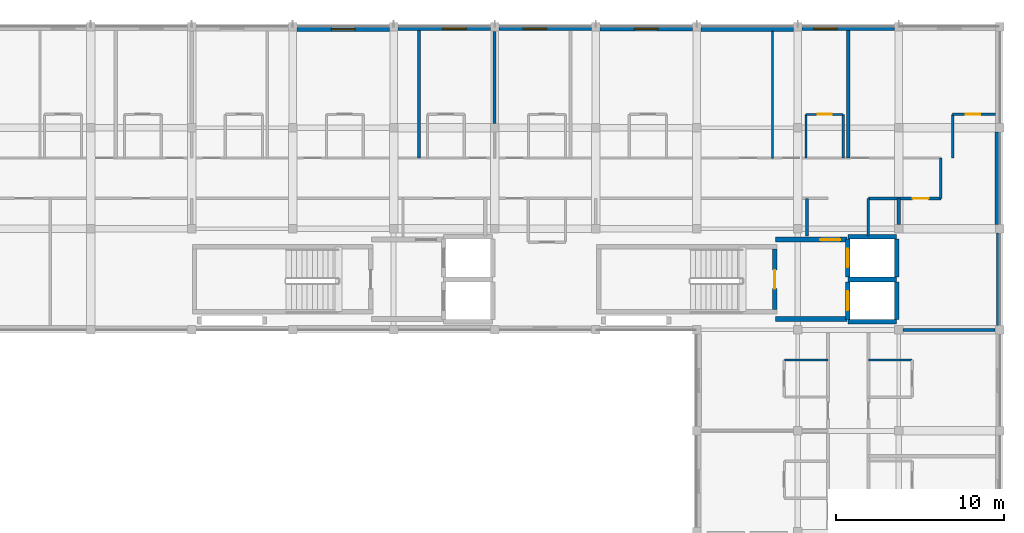
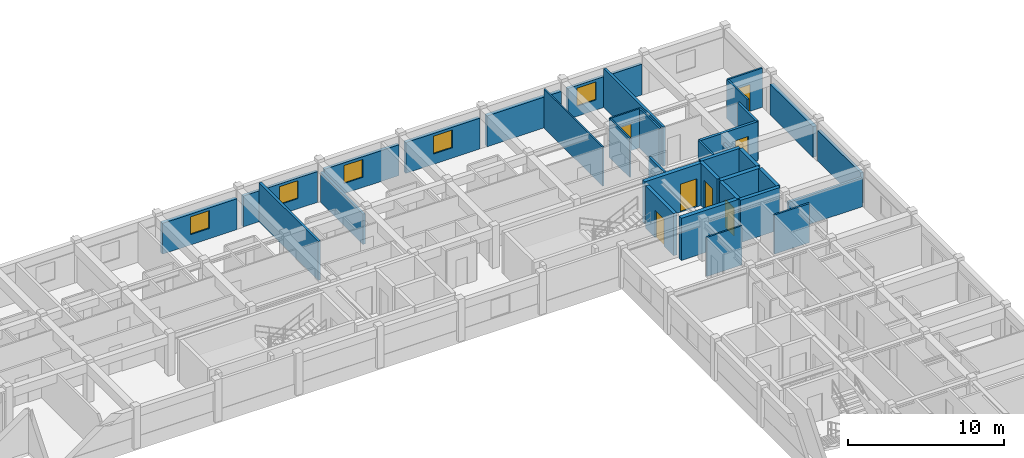
# One storey, part 10 of 15: 35 walls, 7 doors, 5 windows, 12 openings.
"""IFC4 building model written with IfcOpenShell, lengths in metres."""

from ifc_helpers import new_model, si_unit, direction, frame, frame_2d, origin, place, context, subcontext, project, spatial, rectangle, extrude, material, layer, layer_set, type_object, element, fill, save


model = new_model("IFC4")

# Units and contexts
model_context = context("Model", 3, precision=1e-05, world=origin(), true_north=direction((0.0, 1.0)))
body_context = subcontext(model_context, "Body", "Model", "MODEL_VIEW")
ifc_project = project(units=[si_unit("LENGTHUNIT", "METRE"), si_unit("AREAUNIT", "SQUARE_METRE"), si_unit("VOLUMEUNIT", "CUBIC_METRE"), si_unit("PLANEANGLEUNIT", "RADIAN"), si_unit("MASSUNIT", "GRAM", prefix="KILO"), si_unit("THERMODYNAMICTEMPERATUREUNIT", "KELVIN"), si_unit("POWERUNIT", "WATT")], contexts=[model_context])

# Site, building, storey
site_placement = place(None, origin())
site = spatial("IfcSite", under=ifc_project, at=site_placement, CompositionType="ELEMENT")
building_placement = place(site_placement, origin())
building = spatial("IfcBuilding", under=site, at=building_placement, Name="Phaisarnlok Congress Hotel", CompositionType="ELEMENT")
storey_placement = place(building_placement, frame((0.0, 0.0, 41.39990234375)))
storey = spatial("IfcBuildingStorey", under=building, at=storey_placement, Name="L10", CompositionType="ELEMENT", Elevation=41.39990234375)

# Wall
ifc_material_1 = material(Name="Concrete C40/50", Category="concrete")
ifc_layer_1 = layer(ifc_material_1, 0.2099609375, Name="Concrete C40/50")
ifc_layer_set_1 = layer_set([ifc_layer_1], Name="Concrete C40/50")
wall_type_1 = type_object("IfcWallType", Name="WL-EXT-210", PredefinedType="SOLIDWALL", material=ifc_layer_set_1)
wall_1_placement = place(storey_placement, frame((179.89501953125, 108.2548828125, 0.0), z_axis=(0.0, 0.0, 1.0), x_axis=(0.0, 1.0, 0.0)))
element("IfcWall", 1, at=wall_1_placement, inside=storey, type_object=wall_type_1, Name="Exterior wall EW-07 (L10)", PredefinedType="SOLIDWALL", context=body_context, shape_type="SweptSolid", body=[
    extrude(rectangle(XDim=5.490234375, YDim=0.2099609375, at=frame_2d((2.7451171875, 0.0))), origin(), (0.0, 0.0, 1.0), 2.41015625),
])

# Wall, opening, window
wall_2_placement = place(storey_placement, frame((173.7451171875, 125.89501953125, 0.0), z_axis=(0.0, 0.0, 1.0), x_axis=(-1.0, 0.0, 0.0)))
wall_2 = element("IfcWall", 2, at=wall_2_placement, inside=storey, type_object=wall_type_1, Name="Exterior wall EW-07 (L10)", PredefinedType="SOLIDWALL", context=body_context, shape_type="SweptSolid", body=[
    extrude(rectangle(XDim=5.490234375, YDim=0.2099609375, at=frame_2d((2.7451171875, 0.0))), origin(), (0.0, 0.0, 1.0), 2.41015625),
])
opening_1_placement = place(wall_2_placement, frame((3.407958984375, 0.0, 0.800048828125)))
opening_1 = element("IfcOpeningElement", 3, at=opening_1_placement, cuts=wall_2, Name="Opening W-13", PredefinedType="OPENING", context=body_context, shape_type="SweptSolid", body=[
    extrude(rectangle(XDim=1.39990234375, YDim=1.39990234375, at=frame_2d((0.699951171875, 0.699951171875))), frame((0.0, 0.114990234375, 0.0), z_axis=(0.0, -1.0, 0.0), x_axis=(1.0, 0.0, 0.0)), (0.0, 0.0, 1.0), 0.22998046875),
])
ifc_material_2 = material(Name="Thermally Broken Aluminium & Low-E Double Glazing", Category="aluminium")
window_type = type_object("IfcWindowType", Name="WIN-POD-1400", PartitioningType="SINGLE_PANEL", PredefinedType="WINDOW", material=ifc_material_2)
window_1_placement = place(opening_1_placement, origin())
window_1 = element("IfcWindow", 4, at=window_1_placement, inside=storey, type_object=window_type, Name="Guestroom window W-13 (L10)", OverallHeight=1.39990234375, OverallWidth=1.39990234375, PartitioningType="SINGLE_PANEL", PredefinedType="WINDOW", context=body_context, shape_type="SweptSolid", body=[
    extrude(rectangle(XDim=1.39990234375, YDim=1.39990234375, at=frame_2d((0.699951171875, 0.699951171875))), frame((0.0, 0.030029296875, 0.0), z_axis=(0.0, -1.0, 0.0), x_axis=(1.0, 0.0, 0.0)), (0.0, 0.0, 1.0), 0.06005859375),
])
fill(opening_1, window_1)

wall_3_placement = place(storey_placement, frame((149.7451171875, 125.89501953125, 0.0), z_axis=(0.0, 0.0, 1.0), x_axis=(-1.0, 0.0, 0.0)))
wall_3 = element("IfcWall", 5, at=wall_3_placement, inside=storey, type_object=wall_type_1, Name="Exterior wall EW-07 (L10)", PredefinedType="SOLIDWALL", context=body_context, shape_type="SweptSolid", body=[
    extrude(rectangle(XDim=5.490234375, YDim=0.2099609375, at=frame_2d((2.7451171875, 0.0))), origin(), (0.0, 0.0, 1.0), 2.41015625),
])
opening_2_placement = place(wall_3_placement, frame((1.431884765625, 0.0, 0.800048828125)))
opening_2 = element("IfcOpeningElement", 6, at=opening_2_placement, cuts=wall_3, Name="Opening W-13", PredefinedType="OPENING", context=body_context, shape_type="SweptSolid", body=[
    extrude(rectangle(XDim=1.39990234375, YDim=1.39990234375, at=frame_2d((0.699951171875, 0.699951171875))), frame((0.0, 0.114990234375, 0.0), z_axis=(0.0, -1.0, 0.0), x_axis=(1.0, 0.0, 0.0)), (0.0, 0.0, 1.0), 0.22998046875),
])
window_2_placement = place(opening_2_placement, origin())
window_2 = element("IfcWindow", 7, at=window_2_placement, inside=storey, type_object=window_type, Name="Guestroom window W-13 (L10)", OverallHeight=1.39990234375, OverallWidth=1.39990234375, PartitioningType="SINGLE_PANEL", PredefinedType="WINDOW", context=body_context, shape_type="SweptSolid", body=[
    extrude(rectangle(XDim=1.39990234375, YDim=1.39990234375, at=frame_2d((0.699951171875, 0.699951171875))), frame((0.0, 0.030029296875, 0.0), z_axis=(0.0, -1.0, 0.0), x_axis=(1.0, 0.0, 0.0)), (0.0, 0.0, 1.0), 0.06005859375),
])
fill(opening_2, window_2)

ifc_layer_2 = layer(ifc_material_1, 0.22998046875, Name="Concrete C40/50")
ifc_layer_set_2 = layer_set([ifc_layer_2], Name="Concrete C40/50")
wall_type_2 = type_object("IfcWallType", Name="WL-EXT-230", PredefinedType="SOLIDWALL", material=ifc_layer_set_2)
wall_4_placement = place(storey_placement, frame((155.7451171875, 125.885009765625, 0.0), z_axis=(0.0, 0.0, 1.0), x_axis=(-1.0, 0.0, 0.0)))
wall_4 = element("IfcWall", 8, at=wall_4_placement, inside=storey, type_object=wall_type_2, Name="Exterior wall EW-06 (L10)", PredefinedType="SOLIDWALL", context=body_context, shape_type="SweptSolid", body=[
    extrude(rectangle(XDim=5.490234375, YDim=0.22998046875, at=frame_2d((2.7451171875, 0.0))), origin(), (0.0, 0.0, 1.0), 2.41015625),
])
opening_3_placement = place(wall_4_placement, frame((2.657958984375, 0.0, 0.800048828125)))
opening_3 = element("IfcOpeningElement", 9, at=opening_3_placement, cuts=wall_4, Name="Opening W-13", PredefinedType="OPENING", context=body_context, shape_type="SweptSolid", body=[
    extrude(rectangle(XDim=1.39990234375, YDim=1.39990234375, at=frame_2d((0.699951171875, 0.699951171875))), frame((0.0, 0.125, 0.0), z_axis=(0.0, -1.0, 0.0), x_axis=(1.0, 0.0, 0.0)), (0.0, 0.0, 1.0), 0.25),
])
window_3_placement = place(opening_3_placement, origin())
window_3 = element("IfcWindow", 10, at=window_3_placement, inside=storey, type_object=window_type, Name="Guestroom window W-13 (L10)", OverallHeight=1.39990234375, OverallWidth=1.39990234375, PartitioningType="SINGLE_PANEL", PredefinedType="WINDOW", context=body_context, shape_type="SweptSolid", body=[
    extrude(rectangle(XDim=1.39990234375, YDim=1.39990234375, at=frame_2d((0.699951171875, 0.699951171875))), frame((0.0, 0.030029296875, 0.0), z_axis=(0.0, -1.0, 0.0), x_axis=(1.0, 0.0, 0.0)), (0.0, 0.0, 1.0), 0.06005859375),
])
fill(opening_3, window_3)

ifc_layer_3 = layer(ifc_material_1, 0.25, Name="Concrete C40/50")
ifc_layer_set_3 = layer_set([ifc_layer_3], Name="Concrete C40/50")
wall_type_3 = type_object("IfcWallType", Name="WL-EXT-250", PredefinedType="SOLIDWALL", material=ifc_layer_set_3)
wall_5_placement = place(storey_placement, frame((161.7451171875, 125.875, 0.0), z_axis=(0.0, 0.0, 1.0), x_axis=(-1.0, 0.0, 0.0)))
wall_5 = element("IfcWall", 11, at=wall_5_placement, inside=storey, type_object=wall_type_3, Name="Exterior wall EW-05 (L10)", PredefinedType="SOLIDWALL", context=body_context, shape_type="SweptSolid", body=[
    extrude(rectangle(XDim=5.490234375, YDim=0.25, at=frame_2d((2.7451171875, 0.0))), origin(), (0.0, 0.0, 1.0), 2.41015625),
])
opening_4_placement = place(wall_5_placement, frame((2.044921875, 0.0, 0.800048828125)))
opening_4 = element("IfcOpeningElement", 12, at=opening_4_placement, cuts=wall_5, Name="Opening W-13", PredefinedType="OPENING", context=body_context, shape_type="SweptSolid", body=[
    extrude(rectangle(XDim=1.39990234375, YDim=1.39990234375, at=frame_2d((0.699951171875, 0.699951171875))), frame((0.0, 0.135009765625, 0.0), z_axis=(0.0, -1.0, 0.0), x_axis=(1.0, 0.0, 0.0)), (0.0, 0.0, 1.0), 0.27001953125),
])
window_4_placement = place(opening_4_placement, origin())
window_4 = element("IfcWindow", 13, at=window_4_placement, inside=storey, type_object=window_type, Name="Guestroom window W-13 (L10)", OverallHeight=1.39990234375, OverallWidth=1.39990234375, PartitioningType="SINGLE_PANEL", PredefinedType="WINDOW", context=body_context, shape_type="SweptSolid", body=[
    extrude(rectangle(XDim=1.39990234375, YDim=1.39990234375, at=frame_2d((0.699951171875, 0.699951171875))), frame((0.0, 0.030029296875, 0.0), z_axis=(0.0, -1.0, 0.0), x_axis=(1.0, 0.0, 0.0)), (0.0, 0.0, 1.0), 0.06005859375),
])
fill(opening_4, window_4)

# Walls
ifc_layer_4 = layer(ifc_material_1, 0.27001953125, Name="Concrete C40/50")
ifc_layer_set_4 = layer_set([ifc_layer_4], Name="Concrete C40/50")
wall_type_4 = type_object("IfcWallType", Name="WL-EXT-270", PredefinedType="SOLIDWALL", material=ifc_layer_set_4)
for number, where, z_axis, x_axis, name in (
    (14, (179.864990234375, 114.2548828125, 0.0), (0.0, 0.0, 1.0), (0.0, 1.0, 0.0), "Exterior wall EW-04 (L10)"),
    (15, (167.7451171875, 125.864990234375, 0.0), (0.0, 0.0, 1.0), (-1.0, 0.0, 0.0), "Exterior wall EW-04 (L10)"),
):
    element("IfcWall", number, at=place(storey_placement, frame(where, z_axis=z_axis, x_axis=x_axis)), inside=storey, type_object=wall_type_4, Name=name, PredefinedType="SOLIDWALL", context=body_context, shape_type="SweptSolid", body=[
        extrude(rectangle(XDim=5.490234375, YDim=0.27001953125, at=frame_2d((2.7451171875, 0.0))), origin(), (0.0, 0.0, 1.0), 2.41015625),
    ])

# Wall, opening, window
wall_6_placement = place(storey_placement, frame((143.7451171875, 125.864990234375, 0.0), z_axis=(0.0, 0.0, 1.0), x_axis=(-1.0, 0.0, 0.0)))
wall_6 = element("IfcWall", 16, at=wall_6_placement, inside=storey, type_object=wall_type_4, Name="Exterior wall EW-04 (L10)", PredefinedType="SOLIDWALL", context=body_context, shape_type="SweptSolid", body=[
    extrude(rectangle(XDim=5.490234375, YDim=0.27001953125, at=frame_2d((2.7451171875, 0.0))), origin(), (0.0, 0.0, 1.0), 2.41015625),
])
opening_5_placement = place(wall_6_placement, frame((2.044921875, 0.0, 0.800048828125)))
opening_5 = element("IfcOpeningElement", 17, at=opening_5_placement, cuts=wall_6, Name="Opening W-13", PredefinedType="OPENING", context=body_context, shape_type="SweptSolid", body=[
    extrude(rectangle(XDim=1.39990234375, YDim=1.39990234375, at=frame_2d((0.699951171875, 0.699951171875))), frame((0.0, 0.14501953125, 0.0), z_axis=(0.0, -1.0, 0.0), x_axis=(1.0, 0.0, 0.0)), (0.0, 0.0, 1.0), 0.2900390625),
])
window_5_placement = place(opening_5_placement, origin())
window_5 = element("IfcWindow", 18, at=window_5_placement, inside=storey, type_object=window_type, Name="Guestroom window W-13 (L10)", OverallHeight=1.39990234375, OverallWidth=1.39990234375, PartitioningType="SINGLE_PANEL", PredefinedType="WINDOW", context=body_context, shape_type="SweptSolid", body=[
    extrude(rectangle(XDim=1.39990234375, YDim=1.39990234375, at=frame_2d((0.699951171875, 0.699951171875))), frame((0.0, 0.030029296875, 0.0), z_axis=(0.0, -1.0, 0.0), x_axis=(1.0, 0.0, 0.0)), (0.0, 0.0, 1.0), 0.06005859375),
])
fill(opening_5, window_5)

# Walls
ifc_material_3 = material(Name="Service Riser Shaftwall Partition", Category="gypsum")
ifc_layer_5 = layer(ifc_material_3, 0.10498046875, Name="Service Riser Shaftwall Partition")
ifc_layer_set_5 = layer_set([ifc_layer_5], Name="Service Riser Shaftwall Partition")
wall_type_5 = type_object("IfcWallType", Name="WL-INT-105", PredefinedType="PARTITIONING", material=ifc_layer_set_5)
wall_7_placement = place(storey_placement, frame((166.5, 118.199951171875, 0.0), z_axis=(0.0, 0.0, 1.0), x_axis=(0.0, 1.0, 0.0)))
element("IfcWall", 19, at=wall_7_placement, inside=storey, type_object=wall_type_5, Name="Interior partition wall IW-08 (L10)", PredefinedType="PARTITIONING", context=body_context, shape_type="SweptSolid", body=[
    extrude(rectangle(XDim=7.525146484375, YDim=0.10498046875, at=frame_2d((3.7626953125, 0.0))), origin(), (0.0, 0.0, 1.0), 3.06005859375),
])
ifc_material_4 = material(Name="Lightweight Metal-Stud Gypsum Partition", Category="gypsum")
ifc_layer_6 = layer(ifc_material_4, 0.1201171875, Name="Lightweight Metal-Stud Gypsum Partition")
ifc_layer_set_6 = layer_set([ifc_layer_6], Name="Lightweight Metal-Stud Gypsum Partition")
wall_type_6 = type_object("IfcWallType", Name="WL-INT-120", PredefinedType="PARTITIONING", material=ifc_layer_set_6)
for number, where, z_axis, x_axis, name in (
    (20, (168.5, 118.199951171875, 0.0), (0.0, 0.0, 1.0), (0.0, 1.0, 0.0), "Interior partition wall IW-07 (L10)"),
    (21, (167.199951171875, 106.199951171875, 0.0), (0.0, 0.0, 1.0), (1.0, 0.0, 0.0), "Interior partition wall IW-07 (L10)"),
):
    element("IfcWall", number, at=place(storey_placement, frame(where, z_axis=z_axis, x_axis=x_axis)), inside=storey, type_object=wall_type_6, Name=name, PredefinedType="PARTITIONING", context=body_context, shape_type="SweptSolid", body=[
        extrude(rectangle(XDim=2.60009765625, YDim=0.1201171875, at=frame_2d((1.300048828125, 0.0))), origin(), (0.0, 0.0, 1.0), 3.06005859375),
    ])

# Wall, opening, door
wall_8_placement = place(storey_placement, frame((168.5, 120.800048828125, 0.0), z_axis=(0.0, 0.0, 1.0), x_axis=(1.0, 0.0, 0.0)))
wall_8 = element("IfcWall", 22, at=wall_8_placement, inside=storey, type_object=wall_type_6, Name="Interior partition wall IW-07 (L10)", PredefinedType="PARTITIONING", context=body_context, shape_type="SweptSolid", body=[
    extrude(rectangle(XDim=2.199951171875, YDim=0.1201171875, at=frame_2d((1.10009765625, 0.0))), origin(), (0.0, 0.0, 1.0), 3.06005859375),
])
opening_6_placement = place(wall_8_placement, frame((0.675048828125, 0.0, 0.0)))
opening_6 = element("IfcOpeningElement", 23, at=opening_6_placement, cuts=wall_8, Name="Opening D-0579", PredefinedType="OPENING", context=body_context, shape_type="SweptSolid", body=[
    extrude(rectangle(XDim=0.85009765625, YDim=2.10009765625, at=frame_2d((0.425048828125, 1.050048828125))), frame((0.0, 0.070068359375, 0.0), z_axis=(0.0, -1.0, 0.0), x_axis=(1.0, 0.0, 0.0)), (0.0, 0.0, 1.0), 0.14013671875),
])
ifc_material_5 = material(Name="Moisture-Resistant Lacquered Timber", Category="wood")
door_type_1 = type_object("IfcDoorType", Name="DR-BATH-850", OperationType="NOTDEFINED", PredefinedType="DOOR", material=ifc_material_5)
door_1_placement = place(opening_6_placement, origin())
door_1 = element("IfcDoor", 24, at=door_1_placement, inside=storey, type_object=door_type_1, Name="Interior door D-0579 (L10)", OperationType="SINGLE_SWING_LEFT", OverallHeight=2.10009765625, OverallWidth=0.85009765625, PredefinedType="DOOR", context=body_context, shape_type="SweptSolid", body=[
    extrude(rectangle(XDim=0.85009765625, YDim=2.10009765625, at=frame_2d((0.425048828125, 1.050048828125))), frame((0.0, 0.02490234375, 0.0), z_axis=(0.0, -1.0, 0.0), x_axis=(1.0, 0.0, 0.0)), (0.0, 0.0, 1.0), 0.050048828125),
])
fill(opening_6, door_1)

# Walls
ifc_material_6 = material(Name="Moisture-Resistant Gypsum Partition", Category="gypsum")
ifc_layer_7 = layer(ifc_material_6, 0.135009765625, Name="Moisture-Resistant Gypsum Partition")
ifc_layer_set_7 = layer_set([ifc_layer_7], Name="Moisture-Resistant Gypsum Partition")
wall_type_7 = type_object("IfcWallType", Name="WL-INT-135", PredefinedType="PARTITIONING", material=ifc_layer_set_7)
for number, where, z_axis, x_axis, name in (
    (25, (170.699951171875, 118.199951171875, 0.0), (0.0, 0.0, 1.0), (0.0, 1.0, 0.0), "Interior partition wall IW-06 (L10)"),
    (26, (177.199951171875, 118.199951171875, 0.0), (0.0, 0.0, 1.0), (0.0, 1.0, 0.0), "Interior partition wall IW-06 (L10)"),
    (27, (172.199951171875, 106.199951171875, 0.0), (0.0, 0.0, 1.0), (1.0, 0.0, 0.0), "Interior partition wall IW-06 (L10)"),
):
    element("IfcWall", number, at=place(storey_placement, frame(where, z_axis=z_axis, x_axis=x_axis)), inside=storey, type_object=wall_type_7, Name=name, PredefinedType="PARTITIONING", context=body_context, shape_type="SweptSolid", body=[
        extrude(rectangle(XDim=2.60009765625, YDim=0.135009765625, at=frame_2d((1.300048828125, 0.0))), origin(), (0.0, 0.0, 1.0), 3.06005859375),
    ])

# Wall, opening, door
wall_9_placement = place(storey_placement, frame((177.199951171875, 120.800048828125, 0.0), z_axis=(0.0, 0.0, 1.0), x_axis=(1.0, 0.0, 0.0)))
wall_9 = element("IfcWall", 28, at=wall_9_placement, inside=storey, type_object=wall_type_7, Name="Interior partition wall IW-06 (L10)", PredefinedType="PARTITIONING", context=body_context, shape_type="SweptSolid", body=[
    extrude(rectangle(XDim=2.545166015625, YDim=0.135009765625, at=frame_2d((1.2724609375, 0.0))), origin(), (0.0, 0.0, 1.0), 3.06005859375),
])
opening_7_placement = place(wall_9_placement, frame((0.77490234375, 0.0, 0.0)))
opening_7 = element("IfcOpeningElement", 29, at=opening_7_placement, cuts=wall_9, Name="Opening D-0581", PredefinedType="OPENING", context=body_context, shape_type="SweptSolid", body=[
    extrude(rectangle(XDim=0.85009765625, YDim=2.10009765625, at=frame_2d((0.425048828125, 1.050048828125))), frame((0.0, 0.07763671875, 0.0), z_axis=(0.0, -1.0, 0.0), x_axis=(1.0, 0.0, 0.0)), (0.0, 0.0, 1.0), 0.155029296875),
])
door_2_placement = place(opening_7_placement, origin())
door_2 = element("IfcDoor", 30, at=door_2_placement, inside=storey, type_object=door_type_1, Name="Interior door D-0581 (L10)", OperationType="SINGLE_SWING_LEFT", OverallHeight=2.10009765625, OverallWidth=0.85009765625, PredefinedType="DOOR", context=body_context, shape_type="SweptSolid", body=[
    extrude(rectangle(XDim=0.85009765625, YDim=2.10009765625, at=frame_2d((0.425048828125, 1.050048828125))), frame((0.0, 0.02490234375, 0.0), z_axis=(0.0, -1.0, 0.0), x_axis=(1.0, 0.0, 0.0)), (0.0, 0.0, 1.0), 0.050048828125),
])
fill(opening_7, door_2)

# Walls
ifc_material_7 = material(Name="Acoustic Gypsum Board & Mineral Wool", Category="gypsum")
ifc_layer_8 = layer(ifc_material_7, 0.14990234375, Name="Acoustic Gypsum Board & Mineral Wool")
ifc_layer_set_8 = layer_set([ifc_layer_8], Name="Acoustic Gypsum Board & Mineral Wool")
wall_type_8 = type_object("IfcWallType", Name="WL-INT-150", PredefinedType="PARTITIONING", material=ifc_layer_set_8)
for number, where, z_axis, x_axis, name in (
    (31, (168.550048828125, 113.56005859375, 0.0), (0.0, 0.0, 1.0), (0.0, 1.0, 0.0), "Interior partition wall IW-05 (L10)"),
    (32, (172.199951171875, 113.56005859375, 0.0), (0.0, 0.0, 1.0), (0.0, 1.0, 0.0), "Interior partition wall IW-05 (L10)"),
):
    element("IfcWall", number, at=place(storey_placement, frame(where, z_axis=z_axis, x_axis=x_axis)), inside=storey, type_object=wall_type_8, Name=name, PredefinedType="PARTITIONING", context=body_context, shape_type="SweptSolid", body=[
        extrude(rectangle(XDim=2.239990234375, YDim=0.14990234375, at=frame_2d((1.1201171875, 0.0))), origin(), (0.0, 0.0, 1.0), 3.06005859375),
    ])
ifc_material_8 = material(Name="Double-Stud Acoustic Gypsum Partition", Category="gypsum")
ifc_layer_9 = layer(ifc_material_8, 0.159912109375, Name="Double-Stud Acoustic Gypsum Partition")
ifc_layer_set_9 = layer_set([ifc_layer_9], Name="Double-Stud Acoustic Gypsum Partition")
wall_type_9 = type_object("IfcWallType", Name="WL-INT-160", PredefinedType="PARTITIONING", material=ifc_layer_set_9)
wall_10_placement = place(storey_placement, frame((176.5, 115.800048828125, 0.0), z_axis=(0.0, 0.0, 1.0), x_axis=(0.0, 1.0, 0.0)))
element("IfcWall", 33, at=wall_10_placement, inside=storey, type_object=wall_type_9, Name="Interior partition wall IW-04 (L10)", PredefinedType="PARTITIONING", context=body_context, shape_type="SweptSolid", body=[
    extrude(rectangle(XDim=2.39990234375, YDim=0.159912109375, at=frame_2d((1.199951171875, 0.0))), origin(), (0.0, 0.0, 1.0), 3.06005859375),
])
ifc_material_9 = material(Name="Autoclaved Aerated Concrete Block", Category="concrete")
ifc_layer_10 = layer(ifc_material_9, 0.179931640625, Name="Autoclaved Aerated Concrete Block")
ifc_layer_set_10 = layer_set([ifc_layer_10], Name="Autoclaved Aerated Concrete Block")
wall_type_10 = type_object("IfcWallType", Name="WL-INT-180", PredefinedType="PARTITIONING", material=ifc_layer_set_10)
wall_11_placement = place(storey_placement, frame((145.5, 118.199951171875, 0.0), z_axis=(0.0, 0.0, 1.0), x_axis=(0.0, 1.0, 0.0)))
element("IfcWall", 34, at=wall_11_placement, inside=storey, type_object=wall_type_10, Name="Interior partition wall IW-03 (L10)", PredefinedType="PARTITIONING", context=body_context, shape_type="SweptSolid", body=[
    extrude(rectangle(XDim=7.5849609375, YDim=0.179931640625, at=frame_2d((3.79248046875, 0.0))), origin(), (0.0, 0.0, 1.0), 3.06005859375),
])
wall_12_placement = place(storey_placement, frame((150.0, 120.2548828125, 0.0), z_axis=(0.0, 0.0, 1.0), x_axis=(0.0, 1.0, 0.0)))
element("IfcWall", 35, at=wall_12_placement, inside=storey, type_object=wall_type_10, Name="Interior partition wall IW-03 (L10)", PredefinedType="PARTITIONING", context=body_context, shape_type="SweptSolid", body=[
    extrude(rectangle(XDim=5.465087890625, YDim=0.179931640625, at=frame_2d((2.732421875, 0.0))), origin(), (0.0, 0.0, 1.0), 2.360107421875),
])
wall_13_placement = place(storey_placement, frame((171.0, 118.199951171875, 0.0), z_axis=(0.0, 0.0, 1.0), x_axis=(0.0, 1.0, 0.0)))
element("IfcWall", 36, at=wall_13_placement, inside=storey, type_object=wall_type_10, Name="Interior partition wall IW-03 (L10)", PredefinedType="PARTITIONING", context=body_context, shape_type="SweptSolid", body=[
    extrude(rectangle(XDim=7.5849609375, YDim=0.179931640625, at=frame_2d((3.79248046875, 0.0))), origin(), (0.0, 0.0, 1.0), 3.06005859375),
])
wall_14_placement = place(storey_placement, frame((174.2548828125, 108.0, 0.0), z_axis=(0.0, 0.0, 1.0), x_axis=(1.0, 0.0, 0.0)))
element("IfcWall", 37, at=wall_14_placement, inside=storey, type_object=wall_type_10, Name="Interior partition wall IW-03 (L10)", PredefinedType="PARTITIONING", context=body_context, shape_type="SweptSolid", body=[
    extrude(rectangle(XDim=5.465087890625, YDim=0.179931640625, at=frame_2d((2.732421875, 0.0))), origin(), (0.0, 0.0, 1.0), 2.260009765625),
])
ifc_layer_11 = layer(ifc_material_9, 0.199951171875, Name="Autoclaved Aerated Concrete Block")
ifc_layer_set_11 = layer_set([ifc_layer_11], Name="Autoclaved Aerated Concrete Block")
wall_type_11 = type_object("IfcWallType", Name="WL-INT-200", PredefinedType="PARTITIONING", material=ifc_layer_set_11)
wall_15_placement = place(storey_placement, frame((174.0, 114.2548828125, 0.0), z_axis=(0.0, 0.0, 1.0), x_axis=(0.0, 1.0, 0.0)))
element("IfcWall", 38, at=wall_15_placement, inside=storey, type_object=wall_type_11, Name="Interior partition wall IW-02 (L10)", PredefinedType="PARTITIONING", context=body_context, shape_type="SweptSolid", body=[
    extrude(rectangle(XDim=1.545166015625, YDim=0.199951171875, at=frame_2d((0.7724609375, 0.0))), origin(), (0.0, 0.0, 1.0), 2.260009765625),
])

# Wall, opening, door
wall_16_placement = place(storey_placement, frame((172.199951171875, 115.800048828125, 0.0), z_axis=(0.0, 0.0, 1.0), x_axis=(1.0, 0.0, 0.0)))
wall_16 = element("IfcWall", 39, at=wall_16_placement, inside=storey, type_object=wall_type_11, Name="Interior partition wall IW-02 (L10)", PredefinedType="PARTITIONING", context=body_context, shape_type="SweptSolid", body=[
    extrude(rectangle(XDim=4.300048828125, YDim=0.199951171875, at=frame_2d((2.14990234375, 0.0))), origin(), (0.0, 0.0, 1.0), 3.06005859375),
])
opening_8_placement = place(wall_16_placement, frame((2.6201171875, 0.0, 0.0)))
opening_8 = element("IfcOpeningElement", 40, at=opening_8_placement, cuts=wall_16, Name="Opening D-0609", PredefinedType="OPENING", context=body_context, shape_type="SweptSolid", body=[
    extrude(rectangle(XDim=0.9599609375, YDim=2.14990234375, at=frame_2d((0.47998046875, 1.074951171875))), frame((0.0, 0.10986328125, 0.0), z_axis=(0.0, -1.0, 0.0), x_axis=(1.0, 0.0, 0.0)), (0.0, 0.0, 1.0), 0.219970703125),
])
ifc_material_10 = material(Name="Fire-Rated Steel Frame & Timber Leaf", Category="steel")
door_type_2 = type_object("IfcDoorType", Name="DR-FD60-950", OperationType="NOTDEFINED", PredefinedType="DOOR", material=ifc_material_10)
door_3_placement = place(opening_8_placement, origin())
door_3 = element("IfcDoor", 41, at=door_3_placement, inside=storey, type_object=door_type_2, Name="Interior door D-0609 (L10)", OperationType="SINGLE_SWING_LEFT", OverallHeight=2.14990234375, OverallWidth=0.9599609375, PredefinedType="DOOR", context=body_context, shape_type="SweptSolid", body=[
    extrude(rectangle(XDim=0.9599609375, YDim=2.14990234375, at=frame_2d((0.47998046875, 1.074951171875))), frame((0.0, 0.02490234375, 0.0), z_axis=(0.0, -1.0, 0.0), x_axis=(1.0, 0.0, 0.0)), (0.0, 0.0, 1.0), 0.050048828125),
])
fill(opening_8, door_3)

ifc_material_11 = material(Name="Concrete C50/60", Category="concrete")
ifc_layer_12 = layer(ifc_material_11, 0.260009765625, Name="Concrete C50/60")
ifc_layer_set_12 = layer_set([ifc_layer_12], Name="Concrete C50/60")
wall_type_12 = type_object("IfcWallType", Name="WL-SHR-260", PredefinedType="SHEAR", material=ifc_layer_set_12)
wall_17_placement = place(storey_placement, frame((166.6298828125, 109.199951171875, 0.0), z_axis=(0.0, 0.0, 1.0), x_axis=(0.0, 1.0, 0.0)))
wall_17 = element("IfcWall", 42, at=wall_17_placement, inside=storey, type_object=wall_type_12, Name="Stair shaft shear wall SW-04 (CORE-1 L10)", PredefinedType="SHEAR", context=body_context, shape_type="SweptSolid", body=[
    extrude(rectangle(XDim=3.60009765625, YDim=0.260009765625, at=frame_2d((1.800048828125, 0.0))), origin(), (0.0, 0.0, 1.0), 3.300048828125),
])
opening_9_placement = place(wall_17_placement, frame((1.25, 0.0, 0.0)))
opening_9 = element("IfcOpeningElement", 43, at=opening_9_placement, cuts=wall_17, Name="Opening FD-012", PredefinedType="OPENING", context=body_context, shape_type="SweptSolid", body=[
    extrude(rectangle(XDim=1.10009765625, YDim=2.14990234375, at=frame_2d((0.550048828125, 1.074951171875))), frame((0.0, 0.14013671875, 0.0), z_axis=(0.0, -1.0, 0.0), x_axis=(1.0, 0.0, 0.0)), (0.0, 0.0, 1.0), 0.280029296875),
])
door_type_3 = type_object("IfcDoorType", Name="DR-FD60-1100", OperationType="NOTDEFINED", PredefinedType="DOOR", material=ifc_material_10)
door_4_placement = place(opening_9_placement, origin())
door_4 = element("IfcDoor", 44, at=door_4_placement, inside=storey, type_object=door_type_3, Name="Stair enclosure fire door FD-012 (L10)", OperationType="SINGLE_SWING_LEFT", OverallHeight=2.14990234375, OverallWidth=1.10009765625, PredefinedType="DOOR", context=body_context, shape_type="SweptSolid", body=[
    extrude(rectangle(XDim=1.10009765625, YDim=2.14990234375, at=frame_2d((0.550048828125, 1.074951171875))), frame((0.0, 0.02490234375, 0.0), z_axis=(0.0, -1.0, 0.0), x_axis=(1.0, 0.0, 0.0)), (0.0, 0.0, 1.0), 0.050048828125),
])
fill(opening_9, door_4)

# Walls
wall_18_placement = place(storey_placement, frame((170.969970703125, 108.469970703125, 0.0), z_axis=(0.0, 0.0, 1.0), x_axis=(1.0, 0.0, 0.0)))
element("IfcWall", 45, at=wall_18_placement, inside=storey, type_object=wall_type_12, Name="Lift shaft shear wall SW-04 (LF-FF1 L10)", PredefinedType="SHEAR", context=body_context, shape_type="SweptSolid", body=[
    extrude(rectangle(XDim=2.909912109375, YDim=0.260009765625, at=frame_2d((1.455078125, 0.0))), origin(), (0.0, 0.0, 1.0), 3.300048828125),
])
wall_19_placement = place(storey_placement, frame((173.8798828125, 108.60009765625, 0.0), z_axis=(0.0, 0.0, 1.0), x_axis=(0.0, 1.0, 0.0)))
element("IfcWall", 46, at=wall_19_placement, inside=storey, type_object=wall_type_12, Name="Lift shaft shear wall SW-04 (LF-FF1 L10)", PredefinedType="SHEAR", context=body_context, shape_type="SweptSolid", body=[
    extrude(rectangle(XDim=2.25, YDim=0.260009765625, at=frame_2d((1.125, 0.0))), origin(), (0.0, 0.0, 1.0), 3.300048828125),
])

# Wall, opening, door
wall_20_placement = place(storey_placement, frame((170.969970703125, 108.60009765625, 0.0), z_axis=(0.0, 0.0, 1.0), x_axis=(0.0, 1.0, 0.0)))
wall_20 = element("IfcWall", 47, at=wall_20_placement, inside=storey, type_object=wall_type_12, Name="Lift shaft front wall SW-04 (LF-FF1 L10)", PredefinedType="SHEAR", context=body_context, shape_type="SweptSolid", body=[
    extrude(rectangle(XDim=2.25, YDim=0.260009765625, at=frame_2d((1.125, 0.0))), origin(), (0.0, 0.0, 1.0), 3.300048828125),
])
opening_10_placement = place(wall_20_placement, frame((0.574951171875, 0.0, 0.0)))
opening_10 = element("IfcOpeningElement", 48, at=opening_10_placement, cuts=wall_20, Name="Opening LD-012", PredefinedType="OPENING", context=body_context, shape_type="SweptSolid", body=[
    extrude(rectangle(XDim=1.10009765625, YDim=2.199951171875, at=frame_2d((0.550048828125, 1.10009765625))), frame((0.0, 0.14013671875, 0.0), z_axis=(0.0, -1.0, 0.0), x_axis=(1.0, 0.0, 0.0)), (0.0, 0.0, 1.0), 0.280029296875),
])
ifc_material_12 = material(Name="Brushed Stainless Steel Grade 304", Category="steel")
door_type_4 = type_object("IfcDoorType", Name="DR-LD-1100", OperationType="DOUBLE_DOOR_SLIDING", PredefinedType="DOOR", material=ifc_material_12)
door_5_placement = place(opening_10_placement, origin())
door_5 = element("IfcDoor", 49, at=door_5_placement, inside=storey, type_object=door_type_4, Name="Lift landing sliding door LD-012 (LF-FF1 L10)", OperationType="DOUBLE_DOOR_SLIDING", OverallHeight=2.199951171875, OverallWidth=1.10009765625, PredefinedType="DOOR", context=body_context, shape_type="SweptSolid", body=[
    extrude(rectangle(XDim=1.10009765625, YDim=2.199951171875, at=frame_2d((0.550048828125, 1.10009765625))), frame((0.0, 0.02490234375, 0.0), z_axis=(0.0, -1.0, 0.0), x_axis=(1.0, 0.0, 0.0)), (0.0, 0.0, 1.0), 0.050048828125),
])
fill(opening_10, door_5)

# Walls
wall_21_placement = place(storey_placement, frame((170.969970703125, 113.530029296875, 0.0), z_axis=(0.0, 0.0, 1.0), x_axis=(1.0, 0.0, 0.0)))
element("IfcWall", 50, at=wall_21_placement, inside=storey, type_object=wall_type_12, Name="Lift shaft shear wall SW-04 (LF-HP1 L10)", PredefinedType="SHEAR", context=body_context, shape_type="SweptSolid", body=[
    extrude(rectangle(XDim=2.909912109375, YDim=0.260009765625, at=frame_2d((1.455078125, 0.0))), origin(), (0.0, 0.0, 1.0), 3.300048828125),
])
wall_22_placement = place(storey_placement, frame((173.8798828125, 111.14990234375, 0.0), z_axis=(0.0, 0.0, 1.0), x_axis=(0.0, 1.0, 0.0)))
element("IfcWall", 51, at=wall_22_placement, inside=storey, type_object=wall_type_12, Name="Lift shaft shear wall SW-04 (LF-HP1 L10)", PredefinedType="SHEAR", context=body_context, shape_type="SweptSolid", body=[
    extrude(rectangle(XDim=2.25, YDim=0.260009765625, at=frame_2d((1.125, 0.0))), origin(), (0.0, 0.0, 1.0), 3.300048828125),
])

# Wall, opening, door
wall_23_placement = place(storey_placement, frame((170.969970703125, 111.14990234375, 0.0), z_axis=(0.0, 0.0, 1.0), x_axis=(0.0, 1.0, 0.0)))
wall_23 = element("IfcWall", 52, at=wall_23_placement, inside=storey, type_object=wall_type_12, Name="Lift shaft front wall SW-04 (LF-HP1 L10)", PredefinedType="SHEAR", context=body_context, shape_type="SweptSolid", body=[
    extrude(rectangle(XDim=2.25, YDim=0.260009765625, at=frame_2d((1.125, 0.0))), origin(), (0.0, 0.0, 1.0), 3.300048828125),
])
opening_11_placement = place(wall_23_placement, frame((0.574951171875, 0.0, 0.0)))
opening_11 = element("IfcOpeningElement", 53, at=opening_11_placement, cuts=wall_23, Name="Opening LD-027", PredefinedType="OPENING", context=body_context, shape_type="SweptSolid", body=[
    extrude(rectangle(XDim=1.10009765625, YDim=2.199951171875, at=frame_2d((0.550048828125, 1.10009765625))), frame((0.0, 0.14013671875, 0.0), z_axis=(0.0, -1.0, 0.0), x_axis=(1.0, 0.0, 0.0)), (0.0, 0.0, 1.0), 0.280029296875),
])
door_6_placement = place(opening_11_placement, origin())
door_6 = element("IfcDoor", 54, at=door_6_placement, inside=storey, type_object=door_type_4, Name="Lift landing sliding door LD-027 (LF-HP1 L10)", OperationType="DOUBLE_DOOR_SLIDING", OverallHeight=2.199951171875, OverallWidth=1.10009765625, PredefinedType="DOOR", context=body_context, shape_type="SweptSolid", body=[
    extrude(rectangle(XDim=1.10009765625, YDim=2.199951171875, at=frame_2d((0.550048828125, 1.10009765625))), frame((0.0, 0.02490234375, 0.0), z_axis=(0.0, -1.0, 0.0), x_axis=(1.0, 0.0, 0.0)), (0.0, 0.0, 1.0), 0.050048828125),
])
fill(opening_11, door_6)

# Wall
ifc_layer_13 = layer(ifc_material_11, 0.300048828125, Name="Concrete C50/60")
ifc_layer_set_13 = layer_set([ifc_layer_13], Name="Concrete C50/60")
wall_type_13 = type_object("IfcWallType", Name="WL-SHR-300", PredefinedType="SHEAR", material=ifc_layer_set_13)
wall_24_placement = place(storey_placement, frame((170.969970703125, 111.0, 0.0), z_axis=(0.0, 0.0, 1.0), x_axis=(1.0, 0.0, 0.0)))
element("IfcWall", 55, at=wall_24_placement, inside=storey, type_object=wall_type_13, Name="Lift shaft divider shear wall SW-03 (LF-FF1 L10)", PredefinedType="SHEAR", context=body_context, shape_type="SweptSolid", body=[
    extrude(rectangle(XDim=2.909912109375, YDim=0.300048828125, at=frame_2d((1.455078125, 0.0))), origin(), (0.0, 0.0, 1.0), 3.300048828125),
])

# Wall, opening, door
wall_25_placement = place(storey_placement, frame((166.679931640625, 113.35009765625, 0.0), z_axis=(0.0, 0.0, 1.0), x_axis=(1.0, 0.0, 0.0)))
wall_25 = element("IfcWall", 56, at=wall_25_placement, inside=storey, type_object=wall_type_13, Name="Core lobby EI-120 wall SW-03 (CORE-1 L10)", PredefinedType="SHEAR", context=body_context, shape_type="SweptSolid", body=[
    extrude(rectangle(XDim=4.239990234375, YDim=0.300048828125, at=frame_2d((2.1201171875, 0.0))), origin(), (0.0, 0.0, 1.0), 3.300048828125),
])
opening_12_placement = place(wall_25_placement, frame((2.64990234375, 0.0, 0.0)))
opening_12 = element("IfcOpeningElement", 57, at=opening_12_placement, cuts=wall_25, Name="Opening FD-027", PredefinedType="OPENING", context=body_context, shape_type="SweptSolid", body=[
    extrude(rectangle(XDim=1.199951171875, YDim=2.199951171875, at=frame_2d((0.60009765625, 1.10009765625))), frame((0.0, 0.16015625, 0.0), z_axis=(0.0, -1.0, 0.0), x_axis=(1.0, 0.0, 0.0)), (0.0, 0.0, 1.0), 0.320068359375),
])
door_type_5 = type_object("IfcDoorType", Name="DR-FD60-1200", OperationType="NOTDEFINED", PredefinedType="DOOR", material=ifc_material_10)
door_7_placement = place(opening_12_placement, origin())
door_7 = element("IfcDoor", 58, at=door_7_placement, inside=storey, type_object=door_type_5, Name="Firefighting lobby entrance door FD-027 (CORE-1 L10)", OperationType="SINGLE_SWING_RIGHT", OverallHeight=2.199951171875, OverallWidth=1.199951171875, PredefinedType="DOOR", context=body_context, shape_type="SweptSolid", body=[
    extrude(rectangle(XDim=1.199951171875, YDim=2.199951171875, at=frame_2d((0.60009765625, 1.10009765625))), frame((0.0, 0.02490234375, 0.0), z_axis=(0.0, -1.0, 0.0), x_axis=(1.0, 0.0, 0.0)), (0.0, 0.0, 1.0), 0.050048828125),
])
fill(opening_12, door_7)

# Wall
wall_26_placement = place(storey_placement, frame((166.679931640625, 108.64990234375, 0.0), z_axis=(0.0, 0.0, 1.0), x_axis=(1.0, 0.0, 0.0)))
element("IfcWall", 59, at=wall_26_placement, inside=storey, type_object=wall_type_13, Name="Core lobby EI-120 wall SW-03 (CORE-1 L10)", PredefinedType="SHEAR", context=body_context, shape_type="SweptSolid", body=[
    extrude(rectangle(XDim=4.239990234375, YDim=0.300048828125, at=frame_2d((2.1201171875, 0.0))), origin(), (0.0, 0.0, 1.0), 3.300048828125),
])

save(model, "model.ifc")
